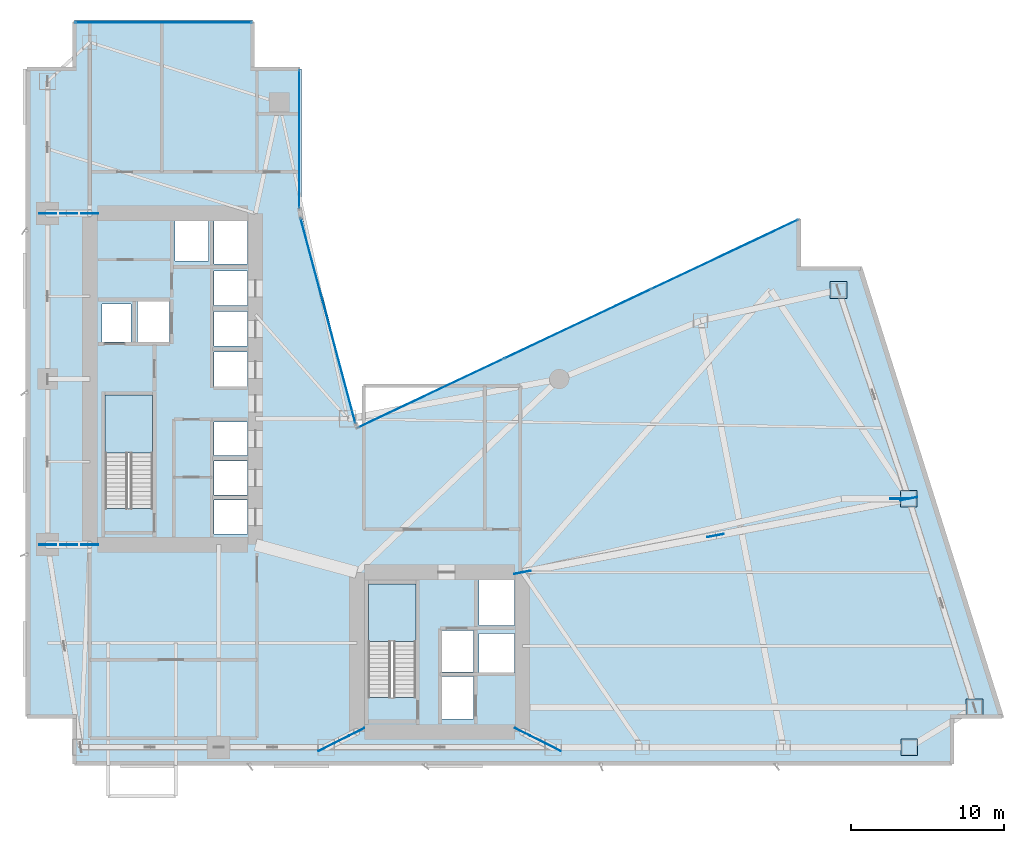
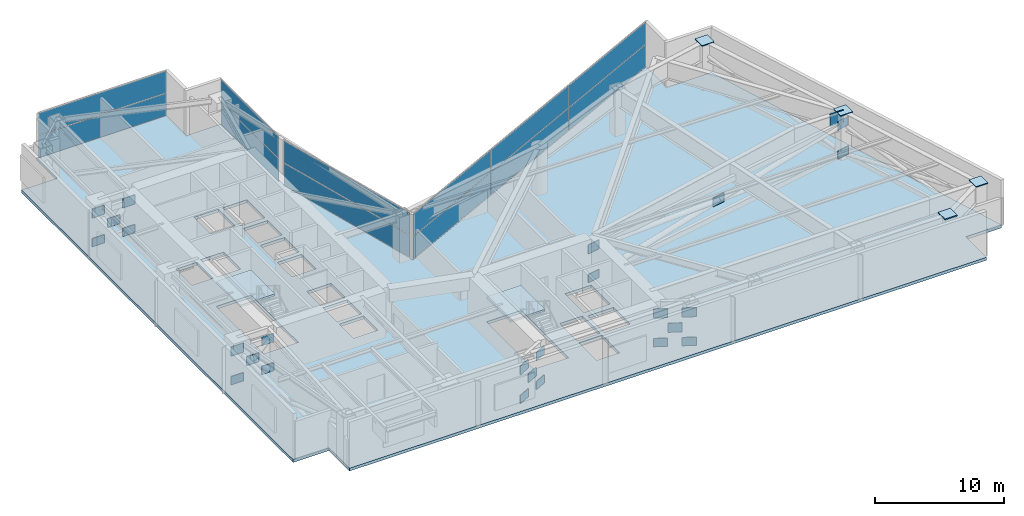
# One storey, part 10 of 18: 42 plates, 3 slabs, 6 elements without a shape of their own.
"""IFC4 building model written with IfcOpenShell, lengths in metres."""

from ifc_helpers import new_model, si_unit, direction, frame, origin, origin_2d, place, context, subcontext, project, spatial, polyline, rectangle, outline, extrude, material, layer, layer_set, type_object, element, aggregate, save


model = new_model("IFC4")

# Units and contexts
model_context = context("Model", 3, precision=1e-05, world=origin(), true_north=direction((0.0, 1.0)))
body_context = subcontext(model_context, "Body", "Model", "MODEL_VIEW")
ifc_project = project(units=[si_unit("LENGTHUNIT", "METRE"), si_unit("AREAUNIT", "SQUARE_METRE"), si_unit("VOLUMEUNIT", "CUBIC_METRE"), si_unit("PLANEANGLEUNIT", "RADIAN"), si_unit("MASSUNIT", "GRAM", prefix="KILO")], contexts=[model_context])

# Site, building, storey
site_placement = place(None, origin())
site = spatial("IfcSite", under=ifc_project, at=site_placement, CompositionType="ELEMENT")
building_placement = place(site_placement, origin())
building = spatial("IfcBuilding", under=site, at=building_placement, Name="Calvorn Quay Hotel", CompositionType="ELEMENT")
storey_placement = place(building_placement, frame((0.0, 0.0, 92.60009765625)))
storey = spatial("IfcBuildingStorey", under=building, at=storey_placement, Name="L22", CompositionType="ELEMENT", Elevation=92.60009765625)

# Curtain wall, plates
ifc_material_1 = material(Name="Pale Anodised Aluminium and Low-E Glass", Category="aluminium")
ifc_layer_1 = layer(ifc_material_1, 0.219970703125)
ifc_layer_set_1 = layer_set([ifc_layer_1], Name="CW-SYS-Z1")
curtain_wall_type = type_object("IfcCurtainWallType", Name="CW-SYS-Z1", PredefinedType="NOTDEFINED", material=ifc_layer_set_1)
curtain_wall_1_placement = place(storey_placement, origin())
curtain_wall_1 = element("IfcCurtainWall", 1, at=curtain_wall_1_placement, inside=storey, type_object=curtain_wall_type, Name="Inner Court Curtain Wall L22-NE1", PredefinedType="NOTDEFINED")
ifc_material_2 = material(Name="Low-E Laminated Double Glazing", Category="glass")
ifc_layer_2 = layer(ifc_material_2, 0.028076171875)
ifc_layer_set_2 = layer_set([ifc_layer_2], Name="CW-SYS-Z1-PAN")
plate_type_1 = type_object("IfcPlateType", Name="CW-SYS-Z1-PAN", PredefinedType="CURTAIN_PANEL", material=ifc_layer_set_2)
plate_1_placement = place(storey_placement, frame((45.58642578125, 35.726806640625, 0.06005859375), z_axis=(0.0, 0.0, 1.0), x_axis=(-0.904248646743, -0.427006305415, 0.0)))
plate_1 = element("IfcPlate", 2, at=plate_1_placement, type_object=plate_type_1, Name="CW-L22-NE1 panel 1.1", PredefinedType="CURTAIN_PANEL", context=body_context, shape_type="SweptSolid", body=[
    extrude(rectangle(XDim=10.526611328125, YDim=0.028076171875, at=origin_2d()), origin(), (0.0, 0.0, 1.0), 2.110107421875),
])
plate_2_placement = place(storey_placement, frame((45.58642578125, 35.726806640625, 2.22998046875), z_axis=(0.0, 0.0, 1.0), x_axis=(-0.904248646743, -0.427006305415, 0.0)))
plate_2 = element("IfcPlate", 3, at=plate_2_placement, type_object=plate_type_1, Name="CW-L22-NE1 panel 1.2", PredefinedType="CURTAIN_PANEL", context=body_context, shape_type="SweptSolid", body=[
    extrude(rectangle(XDim=10.526611328125, YDim=0.028076171875, at=origin_2d()), origin(), (0.0, 0.0, 1.0), 2.06005859375),
])
plate_3_placement = place(storey_placement, frame((36.0, 31.199951171875, 0.06005859375), z_axis=(0.0, 0.0, 1.0), x_axis=(-0.904248646743, -0.427006305415, 0.0)))
plate_3 = element("IfcPlate", 4, at=plate_3_placement, type_object=plate_type_1, Name="CW-L22-NE1 panel 2.1", PredefinedType="CURTAIN_PANEL", context=body_context, shape_type="SweptSolid", body=[
    extrude(rectangle(XDim=10.556640625, YDim=0.028076171875, at=origin_2d()), origin(), (0.0, 0.0, 1.0), 2.110107421875),
])
plate_4_placement = place(storey_placement, frame((36.0, 31.199951171875, 2.22998046875), z_axis=(0.0, 0.0, 1.0), x_axis=(-0.904248646743, -0.427006305415, 0.0)))
plate_4 = element("IfcPlate", 5, at=plate_4_placement, type_object=plate_type_1, Name="CW-L22-NE1 panel 2.2", PredefinedType="CURTAIN_PANEL", context=body_context, shape_type="SweptSolid", body=[
    extrude(rectangle(XDim=10.556640625, YDim=0.028076171875, at=origin_2d()), origin(), (0.0, 0.0, 1.0), 2.06005859375),
])
plate_5_placement = place(storey_placement, frame((26.41357421875, 26.673095703125, 0.06005859375), z_axis=(0.0, 0.0, 1.0), x_axis=(-0.904248646743, -0.427006305415, 0.0)))
plate_5 = element("IfcPlate", 6, at=plate_5_placement, type_object=plate_type_1, Name="CW-L22-NE1 panel 3.1", PredefinedType="CURTAIN_PANEL", context=body_context, shape_type="SweptSolid", body=[
    extrude(rectangle(XDim=10.526611328125, YDim=0.028076171875, at=origin_2d()), origin(), (0.0, 0.0, 1.0), 2.110107421875),
])
plate_6_placement = place(storey_placement, frame((26.41357421875, 26.673095703125, 2.22998046875), z_axis=(0.0, 0.0, 1.0), x_axis=(-0.904248646743, -0.427006305415, 0.0)))
plate_6 = element("IfcPlate", 7, at=plate_6_placement, type_object=plate_type_1, Name="CW-L22-NE1 panel 3.2", PredefinedType="CURTAIN_PANEL", context=body_context, shape_type="SweptSolid", body=[
    extrude(rectangle(XDim=10.526611328125, YDim=0.028076171875, at=origin_2d()), origin(), (0.0, 0.0, 1.0), 2.06005859375),
])
aggregate(curtain_wall_1, [plate_1, plate_2, plate_3, plate_4, plate_5, plate_6])

curtain_wall_2_placement = place(storey_placement, origin())
curtain_wall_2 = element("IfcCurtainWall", 8, at=curtain_wall_2_placement, inside=storey, type_object=curtain_wall_type, Name="Inner Court Curtain Wall L22-IC1", PredefinedType="NOTDEFINED")
plate_7_placement = place(storey_placement, frame((19.72509765625, 31.39990234375, 0.06005859375), z_axis=(0.0, 0.0, 1.0), x_axis=(-0.25877913024, 0.96593652056, 0.0)))
plate_7 = element("IfcPlate", 9, at=plate_7_placement, type_object=plate_type_1, Name="CW-L22-IC1 panel 1.1", PredefinedType="CURTAIN_PANEL", context=body_context, shape_type="SweptSolid", body=[
    extrude(rectangle(XDim=13.814697265625, YDim=0.028076171875, at=origin_2d()), origin(), (0.0, 0.0, 1.0), 2.110107421875),
])
plate_8_placement = place(storey_placement, frame((19.72509765625, 31.39990234375, 2.22998046875), z_axis=(0.0, 0.0, 1.0), x_axis=(-0.25877913024, 0.96593652056, 0.0)))
plate_8 = element("IfcPlate", 10, at=plate_8_placement, type_object=plate_type_1, Name="CW-L22-IC1 panel 1.2", PredefinedType="CURTAIN_PANEL", context=body_context, shape_type="SweptSolid", body=[
    extrude(rectangle(XDim=13.814697265625, YDim=0.028076171875, at=origin_2d()), origin(), (0.0, 0.0, 1.0), 2.06005859375),
])
aggregate(curtain_wall_2, [plate_7, plate_8])

curtain_wall_3_placement = place(storey_placement, origin())
curtain_wall_3 = element("IfcCurtainWall", 11, at=curtain_wall_3_placement, inside=storey, type_object=curtain_wall_type, Name="Inner Court Curtain Wall L22-IC2", PredefinedType="NOTDEFINED")
plate_9_placement = place(storey_placement, frame((17.85009765625, 43.239990234375, 0.06005859375), z_axis=(0.0, 0.0, 1.0), x_axis=(0.0, 1.0, 0.0)))
plate_9 = element("IfcPlate", 12, at=plate_9_placement, type_object=plate_type_1, Name="CW-L22-IC2 panel 1.1", PredefinedType="CURTAIN_PANEL", context=body_context, shape_type="SweptSolid", body=[
    extrude(rectangle(XDim=9.0, YDim=0.028076171875, at=origin_2d()), origin(), (0.0, 0.0, 1.0), 2.110107421875),
])
plate_10_placement = place(storey_placement, frame((17.85009765625, 43.239990234375, 2.22998046875), z_axis=(0.0, 0.0, 1.0), x_axis=(0.0, 1.0, 0.0)))
plate_10 = element("IfcPlate", 13, at=plate_10_placement, type_object=plate_type_1, Name="CW-L22-IC2 panel 1.2", PredefinedType="CURTAIN_PANEL", context=body_context, shape_type="SweptSolid", body=[
    extrude(rectangle(XDim=9.0, YDim=0.028076171875, at=origin_2d()), origin(), (0.0, 0.0, 1.0), 2.06005859375),
])
aggregate(curtain_wall_3, [plate_9, plate_10])

curtain_wall_4_placement = place(storey_placement, origin())
curtain_wall_4 = element("IfcCurtainWall", 14, at=curtain_wall_4_placement, inside=storey, type_object=curtain_wall_type, Name="Inner Court Curtain Wall L22-N1", PredefinedType="NOTDEFINED")
plate_11_placement = place(storey_placement, frame((9.0, 50.85009765625, 0.06005859375), z_axis=(0.0, 0.0, 1.0), x_axis=(-1.0, 0.0, 0.0)))
plate_11 = element("IfcPlate", 15, at=plate_11_placement, type_object=plate_type_1, Name="CW-L22-N1 panel 1.1", PredefinedType="CURTAIN_PANEL", context=body_context, shape_type="SweptSolid", body=[
    extrude(rectangle(XDim=11.47998046875, YDim=0.028076171875, at=origin_2d()), origin(), (0.0, 0.0, 1.0), 2.110107421875),
])
plate_12_placement = place(storey_placement, frame((9.0, 50.85009765625, 2.22998046875), z_axis=(0.0, 0.0, 1.0), x_axis=(-1.0, 0.0, 0.0)))
plate_12 = element("IfcPlate", 16, at=plate_12_placement, type_object=plate_type_1, Name="CW-L22-N1 panel 1.2", PredefinedType="CURTAIN_PANEL", context=body_context, shape_type="SweptSolid", body=[
    extrude(rectangle(XDim=11.47998046875, YDim=0.028076171875, at=origin_2d()), origin(), (0.0, 0.0, 1.0), 2.06005859375),
])
aggregate(curtain_wall_4, [plate_11, plate_12])

# Plates
ifc_material_3 = material(Name="Steel Q390GJC", Category="steel")
ifc_layer_3 = layer(ifc_material_3, 0.035888671875)
ifc_layer_set_3 = layer_set([ifc_layer_3], Name="PLT-GUSSET-36")
plate_type_2 = type_object("IfcPlateType", Name="PLT-GUSSET-36", PredefinedType="SHEET", material=ifc_layer_set_3)
for number, where, z_axis, x_axis, name in (
    (17, (4.199951171875, 16.800048828125, -0.0751953125), (0.0, 0.0, 1.0), (-1.0, 0.0, 0.0), "Outrigger Gusset Plate L22-OW1-C"),
    (18, (4.199951171875, 16.800048828125, 2.724853515625), (0.0, 0.0, 1.0), (-1.0, 0.0, 0.0), "Outrigger Gusset Plate L22-OW1-CT"),
    (19, (2.824951171875, 16.800048828125, 1.324951171875), (0.0, 0.0, 1.0), (-1.0, 0.0, 0.0), "Outrigger Gusset Plate L22-OW1-X"),
    (20, (1.449951171875, 16.800048828125, -0.0751953125), (0.0, 0.0, 1.0), (-1.0, 0.0, 0.0), "Outrigger Gusset Plate L22-OW1-E"),
    (21, (1.449951171875, 16.800048828125, 2.724853515625), (0.0, 0.0, 1.0), (-1.0, 0.0, 0.0), "Outrigger Gusset Plate L22-OW1-ET"),
    (22, (4.199951171875, 38.39990234375, -0.0751953125), (0.0, 0.0, 1.0), (-1.0, 0.0, 0.0), "Outrigger Gusset Plate L22-OW2-C"),
    (23, (4.199951171875, 38.39990234375, 2.724853515625), (0.0, 0.0, 1.0), (-1.0, 0.0, 0.0), "Outrigger Gusset Plate L22-OW2-CT"),
    (24, (2.824951171875, 38.39990234375, 1.324951171875), (0.0, 0.0, 1.0), (-1.0, 0.0, 0.0), "Outrigger Gusset Plate L22-OW2-X"),
    (25, (1.449951171875, 38.39990234375, -0.0751953125), (0.0, 0.0, 1.0), (-1.0, 0.0, 0.0), "Outrigger Gusset Plate L22-OW2-E"),
    (26, (1.449951171875, 38.39990234375, 2.724853515625), (0.0, 0.0, 1.0), (-1.0, 0.0, 0.0), "Outrigger Gusset Plate L22-OW2-ET"),
    (27, (21.60009765625, 4.60009765625, -0.0751953125), (0.0, 0.0, 1.0), (-0.89438856037, -0.447290848419, 0.0), "Outrigger Gusset Plate L22-OE1-C"),
    (28, (21.60009765625, 4.60009765625, 2.724853515625), (0.0, 0.0, 1.0), (-0.89438856037, -0.447290848419, 0.0), "Outrigger Gusset Plate L22-OE1-CT"),
    (29, (20.60009765625, 4.10009765625, 1.324951171875), (0.0, 0.0, 1.0), (-0.89438856037, -0.447290848419, 0.0), "Outrigger Gusset Plate L22-OE1-X"),
    (30, (19.60009765625, 3.60009765625, -0.0751953125), (0.0, 0.0, 1.0), (-0.89438856037, -0.447290848419, 0.0), "Outrigger Gusset Plate L22-OE1-E"),
    (31, (19.60009765625, 3.60009765625, 2.724853515625), (0.0, 0.0, 1.0), (-0.89438856037, -0.447290848419, 0.0), "Outrigger Gusset Plate L22-OE1-ET"),
    (32, (32.39990234375, 4.60009765625, -0.0751953125), (0.0, 0.0, 1.0), (0.89438856037, -0.447290848419, 0.0), "Outrigger Gusset Plate L22-OE2-C"),
    (33, (32.39990234375, 4.60009765625, 2.724853515625), (0.0, 0.0, 1.0), (0.89438856037, -0.447290848419, 0.0), "Outrigger Gusset Plate L22-OE2-CT"),
    (34, (33.39990234375, 4.10009765625, 1.324951171875), (0.0, 0.0, 1.0), (0.89438856037, -0.447290848419, 0.0), "Outrigger Gusset Plate L22-OE2-X"),
    (35, (34.39990234375, 3.60009765625, -0.0751953125), (0.0, 0.0, 1.0), (0.89438856037, -0.447290848419, 0.0), "Outrigger Gusset Plate L22-OE2-E"),
    (36, (34.39990234375, 3.60009765625, 2.724853515625), (0.0, 0.0, 1.0), (0.89438856037, -0.447290848419, 0.0), "Outrigger Gusset Plate L22-OE2-ET"),
    (37, (32.39990234375, 15.0, -0.0751953125), (0.0, 0.0, 1.0), (0.982319939976, 0.187209870265, 0.0), "Outrigger Gusset Plate L22-OE3-C"),
    (38, (32.39990234375, 15.0, 2.724853515625), (0.0, 0.0, 1.0), (0.982319939976, 0.187209870265, 0.0), "Outrigger Gusset Plate L22-OE3-CT"),
    (39, (44.988037109375, 17.39990234375, 1.324951171875), (0.0, 0.0, 1.0), (0.982319939976, 0.187209870265, 0.0), "Outrigger Gusset Plate L22-OE3-X"),
    (40, (57.575927734375, 19.800048828125, -0.0751953125), (0.0, 0.0, 1.0), (0.982319939976, 0.187209870265, 0.0), "Outrigger Gusset Plate L22-OE3-E"),
    (41, (57.575927734375, 19.800048828125, 2.724853515625), (0.0, 0.0, 1.0), (0.982319939976, 0.187209870265, 0.0), "Outrigger Gusset Plate L22-OE3-ET"),
):
    element("IfcPlate", number, at=place(storey_placement, frame(where, z_axis=z_axis, x_axis=x_axis)), inside=storey, type_object=plate_type_2, Name=name, PredefinedType="SHEET", context=body_context, shape_type="SweptSolid", body=[
        extrude(rectangle(XDim=1.10009765625, YDim=0.035888671875, at=origin_2d()), origin(), (0.0, 0.0, 1.0), 0.85009765625),
    ])
ifc_material_4 = material(Name="Steel Q420GJC", Category="steel")
ifc_layer_4 = layer(ifc_material_4, 0.050048828125)
ifc_layer_set_4 = layer_set([ifc_layer_4], Name="PLT-GUSSET-50")
plate_type_3 = type_object("IfcPlateType", Name="PLT-GUSSET-50", PredefinedType="SHEET", material=ifc_layer_set_4)
plate_13_placement = place(storey_placement, frame((56.97607421875, 19.800048828125, 3.25), z_axis=(0.0, 0.0, 1.0), x_axis=(1.0, 0.0, 0.0)))
element("IfcPlate", 42, at=plate_13_placement, inside=storey, type_object=plate_type_3, Name="Transfer Gusset Plate PG-L22-E1", PredefinedType="SHEET", context=body_context, shape_type="SweptSolid", body=[
    extrude(rectangle(XDim=1.199951171875, YDim=0.050048828125, at=origin_2d()), origin(), (0.0, 0.0, 1.0), 1.199951171875),
])
ifc_material_5 = material(Name="Steel Q390GJC", Category="steel")
ifc_layer_5 = layer(ifc_material_5, 0.031982421875)
ifc_layer_set_5 = layer_set([ifc_layer_5], Name="PLT-SPLICE-32")
plate_type_4 = type_object("IfcPlateType", Name="PLT-SPLICE-32", PredefinedType="USERDEFINED", material=ifc_layer_set_5)
for number, where, z_axis, x_axis, name in (
    (43, (57.60009765625, 3.60009765625, 4.289794921875), (0.0, 0.0, 1.0), (1.0, 0.0, 0.0), "Column Top Cap Plate C-S6 (L22)"),
    (44, (61.861083984375, 6.199951171875, 4.289794921875), (0.0, 0.0, 1.0), (1.0, 0.0, 0.0), "Column Top Cap Plate C-ET1 (L22)"),
    (45, (57.575927734375, 19.800048828125, 4.289794921875), (0.0, 0.0, 1.0), (1.0, 0.0, 0.0), "Column Top Cap Plate C-ET2 (L22)"),
    (46, (52.990966796875, 33.39990234375, 4.289794921875), (0.0, 0.0, 1.0), (1.0, 0.0, 0.0), "Column Top Cap Plate C-ET3 (L22)"),
):
    element("IfcPlate", number, at=place(storey_placement, frame(where, z_axis=z_axis, x_axis=x_axis)), inside=storey, type_object=plate_type_4, Name=name, ObjectType="SPLICE_PLATE", PredefinedType="USERDEFINED", context=body_context, shape_type="SweptSolid", body=[
        extrude(rectangle(XDim=1.090087890625, YDim=1.090087890625, at=origin_2d()), origin(), (0.0, 0.0, 1.0), 0.10009765625),
    ])

# Slab
ifc_material_6 = material(Name="Concrete C40", Category="concrete")
ifc_layer_6 = layer(ifc_material_6, 0.280029296875)
ifc_layer_set_6 = layer_set([ifc_layer_6], Name="SLB-REFUGE-280")
slab_type_1 = type_object("IfcSlabType", Name="SLB-REFUGE-280", PredefinedType="FLOOR", material=ifc_layer_set_6)
slab_1_placement = place(storey_placement, frame((0.0, 0.0, -0.280029296875)))
element("IfcSlab", 47, at=slab_1_placement, inside=storey, type_object=slab_type_1, Name="L22 Structural Floor Slab", PredefinedType="FLOOR", context=body_context, shape_type="SweptSolid", body=[
    extrude(outline(polyline([(0.0, 5.60009765625), (3.199951171875, 5.60009765625), (3.199951171875, 2.39990234375), (60.39990234375, 2.39990234375), (60.39990234375, 5.60009765625), (63.60009765625, 5.60009765625), (54.39990234375, 34.800048828125), (50.39990234375, 34.800048828125), (50.39990234375, 38.0), (21.60009765625, 24.39990234375), (18.0, 38.39990234375), (18.0, 47.800048828125), (14.800048828125, 47.800048828125), (14.800048828125, 51.0), (3.199951171875, 51.0), (3.199951171875, 47.800048828125), (0.0, 47.800048828125), (0.0, 5.60009765625)]), holes=[polyline([(5.199951171875, 19.156005859375), (8.300048828125, 19.156005859375), (8.300048828125, 26.550048828125), (5.199951171875, 26.550048828125), (5.199951171875, 19.156005859375)]), polyline([(22.35009765625, 6.85595703125), (25.449951171875, 6.85595703125), (25.449951171875, 14.25), (22.35009765625, 14.25), (22.35009765625, 6.85595703125)]), polyline([(5.0, 30.0), (6.89990234375, 30.0), (6.89990234375, 32.5), (5.0, 32.5), (5.0, 30.0)]), polyline([(7.300048828125, 30.0), (9.39990234375, 30.0), (9.39990234375, 32.64990234375), (7.300048828125, 32.64990234375), (7.300048828125, 30.0)]), polyline([(27.159912109375, 8.5), (29.2099609375, 8.5), (29.2099609375, 11.199951171875), (27.159912109375, 11.199951171875), (27.159912109375, 8.5)]), polyline([(27.159912109375, 5.449951171875), (29.2099609375, 5.449951171875), (29.2099609375, 8.199951171875), (27.159912109375, 8.199951171875), (27.159912109375, 5.449951171875)]), polyline([(12.300048828125, 17.5), (14.489990234375, 17.5), (14.489990234375, 19.699951171875), (12.300048828125, 19.699951171875), (12.300048828125, 17.5)]), polyline([(12.300048828125, 20.050048828125), (14.489990234375, 20.050048828125), (14.489990234375, 22.25), (12.300048828125, 22.25), (12.300048828125, 20.050048828125)]), polyline([(12.300048828125, 22.60009765625), (14.489990234375, 22.60009765625), (14.489990234375, 24.800048828125), (12.300048828125, 24.800048828125), (12.300048828125, 22.60009765625)]), polyline([(12.300048828125, 27.10009765625), (14.489990234375, 27.10009765625), (14.489990234375, 29.35009765625), (12.300048828125, 29.35009765625), (12.300048828125, 27.10009765625)]), polyline([(12.300048828125, 29.75), (14.489990234375, 29.75), (14.489990234375, 32.0), (12.300048828125, 32.0), (12.300048828125, 29.75)]), polyline([(12.300048828125, 32.39990234375), (14.489990234375, 32.39990234375), (14.489990234375, 34.64990234375), (12.300048828125, 34.64990234375), (12.300048828125, 32.39990234375)]), polyline([(12.300048828125, 35.10009765625), (14.489990234375, 35.10009765625), (14.489990234375, 37.889892578125), (12.300048828125, 37.889892578125), (12.300048828125, 35.10009765625)]), polyline([(9.75, 35.300048828125), (11.949951171875, 35.300048828125), (11.949951171875, 37.889892578125), (9.75, 37.889892578125), (9.75, 35.300048828125)]), polyline([(29.550048828125, 11.550048828125), (31.889892578125, 11.550048828125), (31.889892578125, 14.489990234375), (29.550048828125, 14.489990234375), (29.550048828125, 11.550048828125)]), polyline([(29.550048828125, 8.449951171875), (31.889892578125, 8.449951171875), (31.889892578125, 11.0), (29.550048828125, 11.0), (29.550048828125, 8.449951171875)])]), origin(), (0.0, 0.0, 1.0), 0.280029296875),
])

# Stair, slab
ifc_material_7 = material(Name="Concrete C40", Category="concrete")
stair_type = type_object("IfcStairType", Name="STR-CORE-DOGLEG", PredefinedType="HALF_TURN_STAIR", material=ifc_material_7)
stair_1_placement = place(storey_placement, origin())
stair_1 = element("IfcStair", 48, at=stair_1_placement, inside=storey, type_object=stair_type, Name="L22 ST-W", PredefinedType="HALF_TURN_STAIR")
ifc_material_8 = material(Name="Concrete C40", Category="concrete")
ifc_layer_7 = layer(ifc_material_8, 0.199951171875)
ifc_layer_set_7 = layer_set([ifc_layer_7], Name="SLB-STAIR-LANDING-200")
slab_type_2 = type_object("IfcSlabType", Name="SLB-STAIR-LANDING-200", PredefinedType="LANDING", material=ifc_layer_set_7)
slab_2_placement = place(storey_placement, frame((0.0, 0.0, 2.199951171875)))
slab_2 = element("IfcSlab", 49, at=slab_2_placement, type_object=slab_type_2, Name="ST-W landing 1", PredefinedType="LANDING", context=body_context, shape_type="SweptSolid", body=[
    extrude(outline(polyline([(8.300048828125, 22.7900390625), (8.300048828125, 26.550048828125), (5.199951171875, 26.550048828125), (5.199951171875, 22.7900390625), (8.300048828125, 22.7900390625)])), origin(), (0.0, 0.0, 1.0), 0.199951171875),
])
aggregate(stair_1, [slab_2])

stair_2_placement = place(storey_placement, origin())
stair_2 = element("IfcStair", 50, at=stair_2_placement, inside=storey, type_object=stair_type, Name="L22 ST-E", PredefinedType="HALF_TURN_STAIR")
slab_3_placement = place(storey_placement, frame((0.0, 0.0, 2.199951171875)))
slab_3 = element("IfcSlab", 51, at=slab_3_placement, type_object=slab_type_2, Name="ST-E landing 1", PredefinedType="LANDING", context=body_context, shape_type="SweptSolid", body=[
    extrude(outline(polyline([(25.449951171875, 10.489990234375), (25.449951171875, 14.25), (22.35009765625, 14.25), (22.35009765625, 10.489990234375), (25.449951171875, 10.489990234375)])), origin(), (0.0, 0.0, 1.0), 0.199951171875),
])
aggregate(stair_2, [slab_3])

save(model, "model.ifc")
